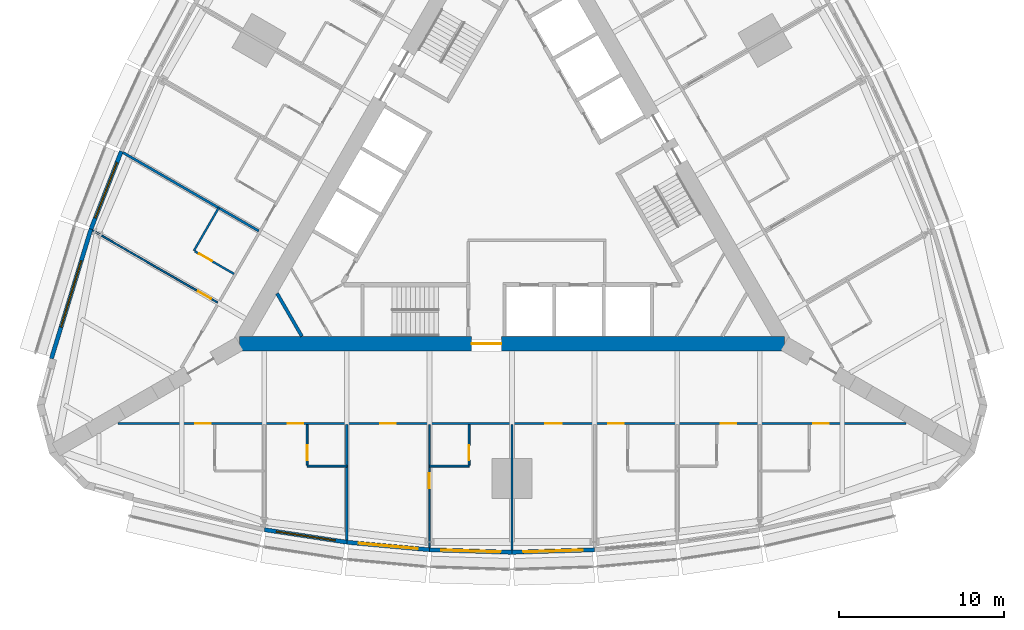
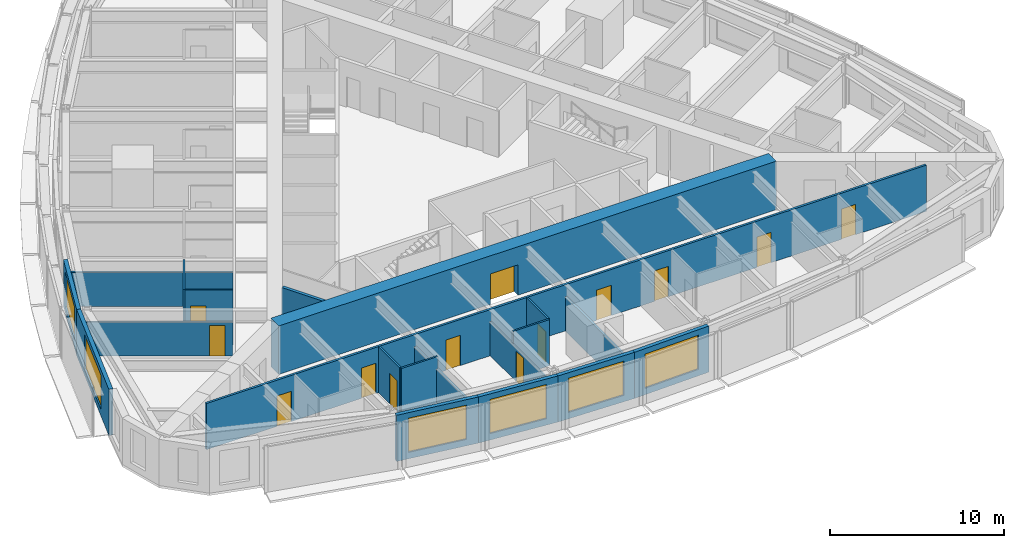
# One storey, part 8 of 14: 20 walls, 13 doors, 6 windows, 19 openings.
"""IFC4 building model written with IfcOpenShell, lengths in metres."""

from ifc_helpers import new_model, si_unit, direction, frame, frame_2d, origin, place, context, subcontext, project, spatial, rectangle, extrude, material, layer, layer_set, type_object, element, fill, save


model = new_model("IFC4")

# Units and contexts
model_context = context("Model", 3, precision=1e-05, world=origin(), true_north=direction((0.0, 1.0)))
body_context = subcontext(model_context, "Body", "Model", "MODEL_VIEW")
ifc_project = project(units=[si_unit("LENGTHUNIT", "METRE"), si_unit("AREAUNIT", "SQUARE_METRE"), si_unit("VOLUMEUNIT", "CUBIC_METRE"), si_unit("PLANEANGLEUNIT", "RADIAN"), si_unit("MASSUNIT", "GRAM", prefix="KILO")], contexts=[model_context])

# Site, building, storey
site_placement = place(None, origin())
site = spatial("IfcSite", under=ifc_project, at=site_placement, CompositionType="ELEMENT")
building_placement = place(site_placement, origin())
building = spatial("IfcBuilding", under=site, at=building_placement, Name="Trikona Tower", CompositionType="ELEMENT")
storey_placement = place(building_placement, frame((0.0, 0.0, 69.300048828125)))
storey = spatial("IfcBuildingStorey", under=building, at=storey_placement, Name="L17", CompositionType="ELEMENT", Elevation=69.300048828125)

# Wall
ifc_material_1 = material(Name="Metal stud and cement board", Category="gypsum")
ifc_layer_1 = layer(ifc_material_1, 0.1201171875)
ifc_layer_set_1 = layer_set([ifc_layer_1], Name="Bathroom wall 120")
wall_type_1 = type_object("IfcWallType", Name="Bathroom wall 120", PredefinedType="PLUMBINGWALL", material=ifc_layer_set_1)
wall_1_placement = place(storey_placement, frame((-12.39990234375, -16.92626953125, 0.0), z_axis=(0.0, 0.0, 1.0), x_axis=(1.0, 0.0, 0.0)))
element("IfcWall", 1, at=wall_1_placement, inside=storey, type_object=wall_type_1, Name="Bathroom wall 1702", PredefinedType="PLUMBINGWALL", context=body_context, shape_type="SweptSolid", body=[
    extrude(rectangle(XDim=2.39990234375, YDim=0.1201171875, at=frame_2d((1.199951171875, 0.0))), origin(), (0.0, 0.0, 1.0), 3.23486328125),
])

# Wall, opening, door
wall_2_placement = place(storey_placement, frame((-12.39990234375, -14.42626953125, 0.0), z_axis=(0.0, 0.0, 1.0), x_axis=(0.0, -1.0, 0.0)))
wall_2 = element("IfcWall", 2, at=wall_2_placement, inside=storey, type_object=wall_type_1, Name="Bathroom wall 1702", PredefinedType="PLUMBINGWALL", context=body_context, shape_type="SweptSolid", body=[
    extrude(rectangle(XDim=2.43994140625, YDim=0.1201171875, at=frame_2d((1.219970703125, 0.0))), origin(), (0.0, 0.0, 1.0), 3.23486328125),
])
opening_1_placement = place(wall_2_placement, frame((1.25, 0.0, 0.0)))
opening_1 = element("IfcOpeningElement", 3, at=opening_1_placement, cuts=wall_2, Name="Opening D2", PredefinedType="OPENING", context=body_context, shape_type="SweptSolid", body=[
    extrude(rectangle(XDim=0.89990234375, YDim=2.1298828125, at=frame_2d((0.449951171875, 1.06494140625))), frame((0.0, 0.070068359375, 0.0), z_axis=(0.0, -1.0, 0.0), x_axis=(1.0, 0.0, 0.0)), (0.0, 0.0, 1.0), 0.14013671875),
])
ifc_material_2 = material(Name="Steel door frame with solid-core timber leaf", Category="steel")
door_type_1 = type_object("IfcDoorType", Name="Bathroom door 900x2130", OperationType="SLIDING_TO_LEFT", PredefinedType="DOOR", material=ifc_material_2)
door_1_placement = place(opening_1_placement, origin())
door_1 = element("IfcDoor", 4, at=door_1_placement, inside=storey, type_object=door_type_1, Name="Bathroom door 1702", OperationType="SLIDING_TO_LEFT", OverallHeight=2.1298828125, OverallWidth=0.89990234375, PredefinedType="DOOR", context=body_context, shape_type="SweptSolid", body=[
    extrude(rectangle(XDim=0.89990234375, YDim=2.1298828125, at=frame_2d((0.449951171875, 1.06494140625))), frame((0.0, 0.02490234375, 0.0), z_axis=(0.0, -1.0, 0.0), x_axis=(1.0, 0.0, 0.0)), (0.0, 0.0, 1.0), 0.050048828125),
])
fill(opening_1, door_1)

# Wall
wall_3_placement = place(storey_placement, frame((-5.0, -16.92626953125, 0.0), z_axis=(0.0, 0.0, 1.0), x_axis=(1.0, 0.0, 0.0)))
element("IfcWall", 5, at=wall_3_placement, inside=storey, type_object=wall_type_1, Name="Bathroom wall 1703.1", PredefinedType="PLUMBINGWALL", context=body_context, shape_type="SweptSolid", body=[
    extrude(rectangle(XDim=2.39990234375, YDim=0.1201171875, at=frame_2d((1.199951171875, 0.0))), origin(), (0.0, 0.0, 1.0), 3.23486328125),
])

# Wall, opening, door
wall_4_placement = place(storey_placement, frame((-2.60009765625, -14.42626953125, 0.0), z_axis=(0.0, 0.0, 1.0), x_axis=(0.0, -1.0, 0.0)))
wall_4 = element("IfcWall", 6, at=wall_4_placement, inside=storey, type_object=wall_type_1, Name="Bathroom wall 1703.1", PredefinedType="PLUMBINGWALL", context=body_context, shape_type="SweptSolid", body=[
    extrude(rectangle(XDim=2.43994140625, YDim=0.1201171875, at=frame_2d((1.219970703125, 0.0))), origin(), (0.0, 0.0, 1.0), 3.23486328125),
])
opening_2_placement = place(wall_4_placement, frame((1.25, 0.0, 0.0)))
opening_2 = element("IfcOpeningElement", 7, at=opening_2_placement, cuts=wall_4, Name="Opening D2", PredefinedType="OPENING", context=body_context, shape_type="SweptSolid", body=[
    extrude(rectangle(XDim=0.89990234375, YDim=2.1298828125, at=frame_2d((0.449951171875, 1.06494140625))), frame((0.0, 0.070068359375, 0.0), z_axis=(0.0, -1.0, 0.0), x_axis=(1.0, 0.0, 0.0)), (0.0, 0.0, 1.0), 0.14013671875),
])
door_2_placement = place(opening_2_placement, origin())
door_2 = element("IfcDoor", 8, at=door_2_placement, inside=storey, type_object=door_type_1, Name="Bathroom door 1703.1", OperationType="SLIDING_TO_LEFT", OverallHeight=2.1298828125, OverallWidth=0.89990234375, PredefinedType="DOOR", context=body_context, shape_type="SweptSolid", body=[
    extrude(rectangle(XDim=0.89990234375, YDim=2.1298828125, at=frame_2d((0.449951171875, 1.06494140625))), frame((0.0, 0.02490234375, 0.0), z_axis=(0.0, -1.0, 0.0), x_axis=(1.0, 0.0, 0.0)), (0.0, 0.0, 1.0), 0.050048828125),
])
fill(opening_2, door_2)

# Wall
wall_5_placement = place(storey_placement, frame((-17.75341796875, -1.297119140625, 0.0), z_axis=(0.0, 0.0, 1.0), x_axis=(-0.499990139034, -0.866031096941, 0.0)))
element("IfcWall", 9, at=wall_5_placement, inside=storey, type_object=wall_type_1, Name="Bathroom wall 1716.1", PredefinedType="PLUMBINGWALL", context=body_context, shape_type="SweptSolid", body=[
    extrude(rectangle(XDim=3.0, YDim=0.1201171875, at=frame_2d((1.5, 0.0))), origin(), (0.0, 0.0, 1.0), 3.23486328125),
])

# Wall, opening, door
wall_6_placement = place(storey_placement, frame((-16.82861328125, -5.295166015625, 0.0), z_axis=(0.0, 0.0, 1.0), x_axis=(-0.866035715982, 0.499982138324, 0.0)))
wall_6 = element("IfcWall", 10, at=wall_6_placement, inside=storey, type_object=wall_type_1, Name="Bathroom wall 1716.1", PredefinedType="PLUMBINGWALL", context=body_context, shape_type="SweptSolid", body=[
    extrude(rectangle(XDim=2.73974609375, YDim=0.1201171875, at=frame_2d((1.369873046875, 0.0))), origin(), (0.0, 0.0, 1.0), 3.23486328125),
])
opening_3_placement = place(wall_6_placement, frame((1.550048828125, 0.0, 0.0)))
opening_3 = element("IfcOpeningElement", 11, at=opening_3_placement, cuts=wall_6, Name="Opening D2", PredefinedType="OPENING", context=body_context, shape_type="SweptSolid", body=[
    extrude(rectangle(XDim=0.89990234375, YDim=2.1298828125, at=frame_2d((0.449951171875, 1.06494140625))), frame((0.0, 0.070068359375, 0.0), z_axis=(0.0, -1.0, 0.0), x_axis=(1.0, 0.0, 0.0)), (0.0, 0.0, 1.0), 0.14013671875),
])
door_3_placement = place(opening_3_placement, origin())
door_3 = element("IfcDoor", 12, at=door_3_placement, inside=storey, type_object=door_type_1, Name="Bathroom door 1716.1", OperationType="SLIDING_TO_LEFT", OverallHeight=2.1298828125, OverallWidth=0.89990234375, PredefinedType="DOOR", context=body_context, shape_type="SweptSolid", body=[
    extrude(rectangle(XDim=0.89990234375, YDim=2.1298828125, at=frame_2d((0.449951171875, 1.06494140625))), frame((0.0, 0.02490234375, 0.0), z_axis=(0.0, -1.0, 0.0), x_axis=(1.0, 0.0, 0.0)), (0.0, 0.0, 1.0), 0.050048828125),
])
fill(opening_3, door_3)

ifc_material_3 = material(Name="Concrete f'c 10000 psi", Category="concrete")
ifc_layer_2 = layer(ifc_material_3, 0.89990234375)
ifc_layer_set_2 = layer_set([ifc_layer_2], Name="Core wall 900")
wall_type_2 = type_object("IfcWallType", Name="Core wall 900", PredefinedType="SHEAR", material=ifc_layer_set_2)
wall_7_placement = place(storey_placement, frame((-16.5, -9.5263671875, 0.0), z_axis=(0.0, 0.0, 1.0), x_axis=(1.0, 0.0, 0.0)))
wall_7 = element("IfcWall", 13, at=wall_7_placement, inside=storey, type_object=wall_type_2, Name="Core wall A", PredefinedType="SHEAR", context=body_context, shape_type="SweptSolid", body=[
    extrude(rectangle(XDim=33.0, YDim=0.89990234375, at=frame_2d((16.5, 0.0))), origin(), (0.0, 0.0, 1.0), 3.39990234375),
])
opening_4_placement = place(wall_7_placement, frame((14.050048828125, 0.0, 0.0)))
opening_4 = element("IfcOpeningElement", 14, at=opening_4_placement, cuts=wall_7, Name="Opening D6", PredefinedType="OPENING", context=body_context, shape_type="SweptSolid", body=[
    extrude(rectangle(XDim=1.800048828125, YDim=2.1298828125, at=frame_2d((0.89990234375, 1.06494140625))), frame((0.0, 0.4599609375, 0.0), z_axis=(0.0, -1.0, 0.0), x_axis=(1.0, 0.0, 0.0)), (0.0, 0.0, 1.0), 0.919921875),
])
ifc_material_4 = material(Name="Hollow metal door and frame", Category="steel")
door_type_2 = type_object("IfcDoorType", Name="Lobby door pair 1800x2130", OperationType="DOUBLE_DOOR_SINGLE_SWING", PredefinedType="DOOR", material=ifc_material_4)
door_4_placement = place(opening_4_placement, origin())
door_4 = element("IfcDoor", 15, at=door_4_placement, inside=storey, type_object=door_type_2, Name="Fire service lift lobby door", OperationType="DOUBLE_DOOR_SINGLE_SWING", OverallHeight=2.1298828125, OverallWidth=1.800048828125, PredefinedType="DOOR", context=body_context, shape_type="SweptSolid", body=[
    extrude(rectangle(XDim=1.800048828125, YDim=2.1298828125, at=frame_2d((0.89990234375, 1.06494140625))), frame((0.0, 0.02490234375, 0.0), z_axis=(0.0, -1.0, 0.0), x_axis=(1.0, 0.0, 0.0)), (0.0, 0.0, 1.0), 0.050048828125),
])
fill(opening_4, door_4)

# Wall, openings, doors
ifc_material_5 = material(Name="Metal stud and gypsum board, 1-hour", Category="gypsum")
ifc_layer_3 = layer(ifc_material_5, 0.14990234375)
ifc_layer_set_3 = layer_set([ifc_layer_3], Name="Corridor wall 150")
wall_type_3 = type_object("IfcWallType", Name="Corridor wall 150", PredefinedType="PARTITIONING", material=ifc_layer_set_3)
wall_8_placement = place(storey_placement, frame((-23.857177734375, -14.351318359375, 0.0), z_axis=(0.0, 0.0, 1.0), x_axis=(1.0, 0.0, 0.0)))
wall_8 = element("IfcWall", 16, at=wall_8_placement, inside=storey, type_object=wall_type_3, Name="Corridor wall L17-1", PredefinedType="PARTITIONING", context=body_context, shape_type="SweptSolid", body=[
    extrude(rectangle(XDim=47.71435546875, YDim=0.14990234375, at=frame_2d((23.857177734375, 0.0))), origin(), (0.0, 0.0, 1.0), 3.23486328125),
])
opening_5_placement = place(wall_8_placement, frame((4.68212890625, 0.0, 0.0)))
opening_5 = element("IfcOpeningElement", 17, at=opening_5_placement, cuts=wall_8, Name="Opening D1", PredefinedType="OPENING", context=body_context, shape_type="SweptSolid", body=[
    extrude(rectangle(XDim=0.949951171875, YDim=2.1298828125, at=frame_2d((0.47509765625, 1.06494140625))), frame((0.0, 0.0849609375, 0.0), z_axis=(0.0, -1.0, 0.0), x_axis=(1.0, 0.0, 0.0)), (0.0, 0.0, 1.0), 0.169921875),
])
opening_6_placement = place(wall_8_placement, frame((10.281982421875, 0.0, 0.0)))
opening_6 = element("IfcOpeningElement", 18, at=opening_6_placement, cuts=wall_8, Name="Opening D1", PredefinedType="OPENING", context=body_context, shape_type="SweptSolid", body=[
    extrude(rectangle(XDim=0.949951171875, YDim=2.1298828125, at=frame_2d((0.47509765625, 1.06494140625))), frame((0.0, 0.0849609375, 0.0), z_axis=(0.0, -1.0, 0.0), x_axis=(1.0, 0.0, 0.0)), (0.0, 0.0, 1.0), 0.169921875),
])
opening_7_placement = place(wall_8_placement, frame((15.882080078125, 0.0, 0.0)))
opening_7 = element("IfcOpeningElement", 19, at=opening_7_placement, cuts=wall_8, Name="Opening D1", PredefinedType="OPENING", context=body_context, shape_type="SweptSolid", body=[
    extrude(rectangle(XDim=0.949951171875, YDim=2.1298828125, at=frame_2d((0.47509765625, 1.06494140625))), frame((0.0, 0.0849609375, 0.0), z_axis=(0.0, -1.0, 0.0), x_axis=(1.0, 0.0, 0.0)), (0.0, 0.0, 1.0), 0.169921875),
])
opening_8_placement = place(wall_8_placement, frame((25.857177734375, 0.0, 0.0)))
opening_8 = element("IfcOpeningElement", 20, at=opening_8_placement, cuts=wall_8, Name="Opening D3", PredefinedType="OPENING", context=body_context, shape_type="SweptSolid", body=[
    extrude(rectangle(XDim=1.0, YDim=2.1298828125, at=frame_2d((0.5, 1.06494140625))), frame((0.0, 0.0849609375, 0.0), z_axis=(0.0, -1.0, 0.0), x_axis=(1.0, 0.0, 0.0)), (0.0, 0.0, 1.0), 0.169921875),
])
opening_9_placement = place(wall_8_placement, frame((29.68212890625, 0.0, 0.0)))
opening_9 = element("IfcOpeningElement", 21, at=opening_9_placement, cuts=wall_8, Name="Opening D1", PredefinedType="OPENING", context=body_context, shape_type="SweptSolid", body=[
    extrude(rectangle(XDim=0.949951171875, YDim=2.1298828125, at=frame_2d((0.47509765625, 1.06494140625))), frame((0.0, 0.0849609375, 0.0), z_axis=(0.0, -1.0, 0.0), x_axis=(1.0, 0.0, 0.0)), (0.0, 0.0, 1.0), 0.169921875),
])
opening_10_placement = place(wall_8_placement, frame((36.482177734375, 0.0, 0.0)))
opening_10 = element("IfcOpeningElement", 22, at=opening_10_placement, cuts=wall_8, Name="Opening D1", PredefinedType="OPENING", context=body_context, shape_type="SweptSolid", body=[
    extrude(rectangle(XDim=0.949951171875, YDim=2.1298828125, at=frame_2d((0.47509765625, 1.06494140625))), frame((0.0, 0.0849609375, 0.0), z_axis=(0.0, -1.0, 0.0), x_axis=(1.0, 0.0, 0.0)), (0.0, 0.0, 1.0), 0.169921875),
])
opening_11_placement = place(wall_8_placement, frame((42.08203125, 0.0, 0.0)))
opening_11 = element("IfcOpeningElement", 23, at=opening_11_placement, cuts=wall_8, Name="Opening D1", PredefinedType="OPENING", context=body_context, shape_type="SweptSolid", body=[
    extrude(rectangle(XDim=0.949951171875, YDim=2.1298828125, at=frame_2d((0.47509765625, 1.06494140625))), frame((0.0, 0.0849609375, 0.0), z_axis=(0.0, -1.0, 0.0), x_axis=(1.0, 0.0, 0.0)), (0.0, 0.0, 1.0), 0.169921875),
])
ifc_material_6 = material(Name="Steel door frame with solid-core timber leaf", Category="steel")
door_type_3 = type_object("IfcDoorType", Name="Guest room door 950x2130", OperationType="SINGLE_SWING_LEFT", PredefinedType="DOOR", material=ifc_material_6)
door_5_placement = place(opening_5_placement, origin())
door_5 = element("IfcDoor", 24, at=door_5_placement, inside=storey, type_object=door_type_3, Name="Room door 1701", OperationType="SINGLE_SWING_LEFT", OverallHeight=2.1298828125, OverallWidth=0.949951171875, PredefinedType="DOOR", context=body_context, shape_type="SweptSolid", body=[
    extrude(rectangle(XDim=0.949951171875, YDim=2.1298828125, at=frame_2d((0.47509765625, 1.06494140625))), frame((0.0, 0.02490234375, 0.0), z_axis=(0.0, -1.0, 0.0), x_axis=(1.0, 0.0, 0.0)), (0.0, 0.0, 1.0), 0.050048828125),
])
fill(opening_5, door_5)
door_6_placement = place(opening_6_placement, origin())
door_6 = element("IfcDoor", 25, at=door_6_placement, inside=storey, type_object=door_type_3, Name="Room door 1702", OperationType="SINGLE_SWING_RIGHT", OverallHeight=2.1298828125, OverallWidth=0.949951171875, PredefinedType="DOOR", context=body_context, shape_type="SweptSolid", body=[
    extrude(rectangle(XDim=0.949951171875, YDim=2.1298828125, at=frame_2d((0.47509765625, 1.06494140625))), frame((0.0, 0.02490234375, 0.0), z_axis=(0.0, -1.0, 0.0), x_axis=(1.0, 0.0, 0.0)), (0.0, 0.0, 1.0), 0.050048828125),
])
fill(opening_6, door_6)
door_7_placement = place(opening_7_placement, origin())
door_7 = element("IfcDoor", 26, at=door_7_placement, inside=storey, type_object=door_type_3, Name="Room door 1703", OperationType="SINGLE_SWING_LEFT", OverallHeight=2.1298828125, OverallWidth=0.949951171875, PredefinedType="DOOR", context=body_context, shape_type="SweptSolid", body=[
    extrude(rectangle(XDim=0.949951171875, YDim=2.1298828125, at=frame_2d((0.47509765625, 1.06494140625))), frame((0.0, 0.02490234375, 0.0), z_axis=(0.0, -1.0, 0.0), x_axis=(1.0, 0.0, 0.0)), (0.0, 0.0, 1.0), 0.050048828125),
])
fill(opening_7, door_7)
door_8_placement = place(opening_9_placement, origin())
door_8 = element("IfcDoor", 27, at=door_8_placement, inside=storey, type_object=door_type_3, Name="Room door 1704", OperationType="SINGLE_SWING_LEFT", OverallHeight=2.1298828125, OverallWidth=0.949951171875, PredefinedType="DOOR", context=body_context, shape_type="SweptSolid", body=[
    extrude(rectangle(XDim=0.949951171875, YDim=2.1298828125, at=frame_2d((0.47509765625, 1.06494140625))), frame((0.0, 0.02490234375, 0.0), z_axis=(0.0, -1.0, 0.0), x_axis=(1.0, 0.0, 0.0)), (0.0, 0.0, 1.0), 0.050048828125),
])
fill(opening_9, door_8)
door_9_placement = place(opening_10_placement, origin())
door_9 = element("IfcDoor", 28, at=door_9_placement, inside=storey, type_object=door_type_3, Name="Room door 1705", OperationType="SINGLE_SWING_RIGHT", OverallHeight=2.1298828125, OverallWidth=0.949951171875, PredefinedType="DOOR", context=body_context, shape_type="SweptSolid", body=[
    extrude(rectangle(XDim=0.949951171875, YDim=2.1298828125, at=frame_2d((0.47509765625, 1.06494140625))), frame((0.0, 0.02490234375, 0.0), z_axis=(0.0, -1.0, 0.0), x_axis=(1.0, 0.0, 0.0)), (0.0, 0.0, 1.0), 0.050048828125),
])
fill(opening_10, door_9)
door_10_placement = place(opening_11_placement, origin())
door_10 = element("IfcDoor", 29, at=door_10_placement, inside=storey, type_object=door_type_3, Name="Room door 1706", OperationType="SINGLE_SWING_LEFT", OverallHeight=2.1298828125, OverallWidth=0.949951171875, PredefinedType="DOOR", context=body_context, shape_type="SweptSolid", body=[
    extrude(rectangle(XDim=0.949951171875, YDim=2.1298828125, at=frame_2d((0.47509765625, 1.06494140625))), frame((0.0, 0.02490234375, 0.0), z_axis=(0.0, -1.0, 0.0), x_axis=(1.0, 0.0, 0.0)), (0.0, 0.0, 1.0), 0.050048828125),
])
fill(opening_11, door_10)
ifc_material_7 = material(Name="Steel door frame with solid-core timber leaf", Category="steel")
door_type_4 = type_object("IfcDoorType", Name="Room door 1000x2130", OperationType="SINGLE_SWING_LEFT", PredefinedType="DOOR", material=ifc_material_7)
door_11_placement = place(opening_8_placement, origin())
door_11 = element("IfcDoor", 30, at=door_11_placement, inside=storey, type_object=door_type_4, Name="Door Housekeeping pantry", OperationType="SINGLE_SWING_RIGHT", OverallHeight=2.1298828125, OverallWidth=1.0, PredefinedType="DOOR", context=body_context, shape_type="SweptSolid", body=[
    extrude(rectangle(XDim=1.0, YDim=2.1298828125, at=frame_2d((0.5, 1.06494140625))), frame((0.0, 0.02490234375, 0.0), z_axis=(0.0, -1.0, 0.0), x_axis=(1.0, 0.0, 0.0)), (0.0, 0.0, 1.0), 0.050048828125),
])
fill(opening_8, door_11)

# Wall, opening, window
ifc_material_8 = material(Name="Insulated precast concrete spandrel panel", Category="concrete")
ifc_layer_4 = layer(ifc_material_8, 0.25)
ifc_layer_set_4 = layer_set([ifc_layer_4], Name="Inner skin wall 250")
wall_type_4 = type_object("IfcWallType", Name="Inner skin wall 250", PredefinedType="STANDARD", material=ifc_layer_set_4)
wall_9_placement = place(storey_placement, frame((-14.981201171875, -20.779296875, 0.0), z_axis=(0.0, 0.0, 1.0), x_axis=(0.988615403399, -0.150464561152, 0.0)))
wall_9 = element("IfcWall", 31, at=wall_9_placement, inside=storey, type_object=wall_type_4, Name="External wall L17-01", PredefinedType="STANDARD", context=body_context, shape_type="SweptSolid", body=[
    extrude(rectangle(XDim=5.0576171875, YDim=0.25, at=frame_2d((2.52880859375, 0.0))), origin(), (0.0, 0.0, 1.0), 3.23486328125),
])
opening_12_placement = place(wall_9_placement, frame((0.728759765625, 0.0, 0.449951171875)))
opening_12 = element("IfcOpeningElement", 32, at=opening_12_placement, cuts=wall_9, Name="Opening W3624", PredefinedType="OPENING", context=body_context, shape_type="SweptSolid", body=[
    extrude(rectangle(XDim=3.60009765625, YDim=2.39990234375, at=frame_2d((1.800048828125, 1.199951171875))), frame((0.0, 0.135009765625, 0.0), z_axis=(0.0, -1.0, 0.0), x_axis=(1.0, 0.0, 0.0)), (0.0, 0.0, 1.0), 0.27001953125),
])
ifc_material_9 = material(Name="Aluminium-framed double glazing", Category="aluminium")
window_type_1 = type_object("IfcWindowType", Name="Window 3600x2400", PartitioningType="SINGLE_PANEL", PredefinedType="WINDOW", material=ifc_material_9)
window_1_placement = place(opening_12_placement, origin())
window_1 = element("IfcWindow", 33, at=window_1_placement, inside=storey, type_object=window_type_1, Name="Window 1702", OverallHeight=2.39990234375, OverallWidth=3.60009765625, PartitioningType="SINGLE_PANEL", PredefinedType="WINDOW", context=body_context, shape_type="SweptSolid", body=[
    extrude(rectangle(XDim=3.60009765625, YDim=2.39990234375, at=frame_2d((1.800048828125, 1.199951171875))), frame((0.0, 0.030029296875, 0.0), z_axis=(0.0, -1.0, 0.0), x_axis=(1.0, 0.0, 0.0)), (0.0, 0.0, 1.0), 0.06005859375),
])
fill(opening_12, window_1)

wall_10_placement = place(storey_placement, frame((-9.988525390625, -21.539306640625, 0.0), z_axis=(0.0, 0.0, 1.0), x_axis=(0.995857256774, -0.090930325692, 0.0)))
wall_10 = element("IfcWall", 34, at=wall_10_placement, inside=storey, type_object=wall_type_4, Name="External wall L17-02", PredefinedType="STANDARD", context=body_context, shape_type="SweptSolid", body=[
    extrude(rectangle(XDim=5.020751953125, YDim=0.25, at=frame_2d((2.51025390625, 0.0))), origin(), (0.0, 0.0, 1.0), 3.23486328125),
])
opening_13_placement = place(wall_10_placement, frame((0.71044921875, 0.0, 0.449951171875)))
opening_13 = element("IfcOpeningElement", 35, at=opening_13_placement, cuts=wall_10, Name="Opening W3624", PredefinedType="OPENING", context=body_context, shape_type="SweptSolid", body=[
    extrude(rectangle(XDim=3.60009765625, YDim=2.39990234375, at=frame_2d((1.800048828125, 1.199951171875))), frame((0.0, 0.135009765625, 0.0), z_axis=(0.0, -1.0, 0.0), x_axis=(1.0, 0.0, 0.0)), (0.0, 0.0, 1.0), 0.27001953125),
])
window_2_placement = place(opening_13_placement, origin())
window_2 = element("IfcWindow", 36, at=window_2_placement, inside=storey, type_object=window_type_1, Name="Window 1703", OverallHeight=2.39990234375, OverallWidth=3.60009765625, PartitioningType="SINGLE_PANEL", PredefinedType="WINDOW", context=body_context, shape_type="SweptSolid", body=[
    extrude(rectangle(XDim=3.60009765625, YDim=2.39990234375, at=frame_2d((1.800048828125, 1.199951171875))), frame((0.0, 0.030029296875, 0.0), z_axis=(0.0, -1.0, 0.0), x_axis=(1.0, 0.0, 0.0)), (0.0, 0.0, 1.0), 0.06005859375),
])
fill(opening_13, window_2)

wall_11_placement = place(storey_placement, frame((-4.99609375, -21.99560546875, 0.0), z_axis=(0.0, 0.0, 1.0), x_axis=(0.999537635046, -0.030405856769, 0.0)))
wall_11 = element("IfcWall", 37, at=wall_11_placement, inside=storey, type_object=wall_type_4, Name="External wall L17-03", PredefinedType="STANDARD", context=body_context, shape_type="SweptSolid", body=[
    extrude(rectangle(XDim=5.002197265625, YDim=0.25, at=frame_2d((2.5009765625, 0.0))), origin(), (0.0, 0.0, 1.0), 3.23486328125),
])
opening_14_placement = place(wall_11_placement, frame((0.701171875, 0.0, 0.449951171875)))
opening_14 = element("IfcOpeningElement", 38, at=opening_14_placement, cuts=wall_11, Name="Opening W3624", PredefinedType="OPENING", context=body_context, shape_type="SweptSolid", body=[
    extrude(rectangle(XDim=3.60009765625, YDim=2.39990234375, at=frame_2d((1.800048828125, 1.199951171875))), frame((0.0, 0.135009765625, 0.0), z_axis=(0.0, -1.0, 0.0), x_axis=(1.0, 0.0, 0.0)), (0.0, 0.0, 1.0), 0.27001953125),
])
window_3_placement = place(opening_14_placement, origin())
window_3 = element("IfcWindow", 39, at=window_3_placement, inside=storey, type_object=window_type_1, Name="Window 1703.1", OverallHeight=2.39990234375, OverallWidth=3.60009765625, PartitioningType="SINGLE_PANEL", PredefinedType="WINDOW", context=body_context, shape_type="SweptSolid", body=[
    extrude(rectangle(XDim=3.60009765625, YDim=2.39990234375, at=frame_2d((1.800048828125, 1.199951171875))), frame((0.0, 0.030029296875, 0.0), z_axis=(0.0, -1.0, 0.0), x_axis=(1.0, 0.0, 0.0)), (0.0, 0.0, 1.0), 0.06005859375),
])
fill(opening_14, window_3)

wall_12_placement = place(storey_placement, frame((-0.00390625, -22.147705078125, 0.0), z_axis=(0.0, 0.0, 1.0), x_axis=(0.999537635046, 0.030405856769, 0.0)))
wall_12 = element("IfcWall", 40, at=wall_12_placement, inside=storey, type_object=wall_type_4, Name="External wall L17-04", PredefinedType="STANDARD", context=body_context, shape_type="SweptSolid", body=[
    extrude(rectangle(XDim=5.002197265625, YDim=0.25, at=frame_2d((2.5009765625, 0.0))), origin(), (0.0, 0.0, 1.0), 3.23486328125),
])
opening_15_placement = place(wall_12_placement, frame((0.701171875, 0.0, 0.449951171875)))
opening_15 = element("IfcOpeningElement", 41, at=opening_15_placement, cuts=wall_12, Name="Opening W3624", PredefinedType="OPENING", context=body_context, shape_type="SweptSolid", body=[
    extrude(rectangle(XDim=3.60009765625, YDim=2.39990234375, at=frame_2d((1.800048828125, 1.199951171875))), frame((0.0, 0.135009765625, 0.0), z_axis=(0.0, -1.0, 0.0), x_axis=(1.0, 0.0, 0.0)), (0.0, 0.0, 1.0), 0.27001953125),
])
window_4_placement = place(opening_15_placement, origin())
window_4 = element("IfcWindow", 42, at=window_4_placement, inside=storey, type_object=window_type_1, Name="Window L17-HKP", OverallHeight=2.39990234375, OverallWidth=3.60009765625, PartitioningType="SINGLE_PANEL", PredefinedType="WINDOW", context=body_context, shape_type="SweptSolid", body=[
    extrude(rectangle(XDim=3.60009765625, YDim=2.39990234375, at=frame_2d((1.800048828125, 1.199951171875))), frame((0.0, 0.030029296875, 0.0), z_axis=(0.0, -1.0, 0.0), x_axis=(1.0, 0.0, 0.0)), (0.0, 0.0, 1.0), 0.06005859375),
])
fill(opening_15, window_4)

wall_13_placement = place(storey_placement, frame((-23.64501953125, 2.126220703125, 0.0), z_axis=(0.0, 0.0, 1.0), x_axis=(-0.364013463868, -0.931393685894, 0.0)))
wall_13 = element("IfcWall", 43, at=wall_13_placement, inside=storey, type_object=wall_type_4, Name="External wall L17-30", PredefinedType="STANDARD", context=body_context, shape_type="SweptSolid", body=[
    extrude(rectangle(XDim=5.0576171875, YDim=0.25, at=frame_2d((2.52880859375, 0.0))), origin(), (0.0, 0.0, 1.0), 3.23486328125),
])
opening_16_placement = place(wall_13_placement, frame((0.728759765625, 0.0, 0.449951171875)))
opening_16 = element("IfcOpeningElement", 44, at=opening_16_placement, cuts=wall_13, Name="Opening W3624", PredefinedType="OPENING", context=body_context, shape_type="SweptSolid", body=[
    extrude(rectangle(XDim=3.60009765625, YDim=2.39990234375, at=frame_2d((1.800048828125, 1.199951171875))), frame((0.0, 0.135009765625, 0.0), z_axis=(0.0, -1.0, 0.0), x_axis=(1.0, 0.0, 0.0)), (0.0, 0.0, 1.0), 0.27001953125),
])
window_5_placement = place(opening_16_placement, origin())
window_5 = element("IfcWindow", 45, at=window_5_placement, inside=storey, type_object=window_type_1, Name="Window 1716.1", OverallHeight=2.39990234375, OverallWidth=3.60009765625, PartitioningType="SINGLE_PANEL", PredefinedType="WINDOW", context=body_context, shape_type="SweptSolid", body=[
    extrude(rectangle(XDim=3.60009765625, YDim=2.39990234375, at=frame_2d((1.800048828125, 1.199951171875))), frame((0.0, 0.030029296875, 0.0), z_axis=(0.0, -1.0, 0.0), x_axis=(1.0, 0.0, 0.0)), (0.0, 0.0, 1.0), 0.06005859375),
])
fill(opening_16, window_5)

wall_14_placement = place(storey_placement, frame((-25.48291015625, -2.575439453125, 0.0), z_axis=(0.0, 0.0, 1.0), x_axis=(-0.2919790669, -0.956424709265, 0.0)))
wall_14 = element("IfcWall", 46, at=wall_14_placement, inside=storey, type_object=wall_type_4, Name="External wall L17-31", PredefinedType="STANDARD", context=body_context, shape_type="SweptSolid", body=[
    extrude(rectangle(XDim=8.211181640625, YDim=0.25, at=frame_2d((4.10546875, 0.0))), origin(), (0.0, 0.0, 1.0), 3.23486328125),
])
opening_17_placement = place(wall_14_placement, frame((2.005615234375, 0.0, 0.449951171875)))
opening_17 = element("IfcOpeningElement", 47, at=opening_17_placement, cuts=wall_14, Name="Opening W4224", PredefinedType="OPENING", context=body_context, shape_type="SweptSolid", body=[
    extrude(rectangle(XDim=4.199951171875, YDim=2.39990234375, at=frame_2d((2.10009765625, 1.199951171875))), frame((0.0, 0.135009765625, 0.0), z_axis=(0.0, -1.0, 0.0), x_axis=(1.0, 0.0, 0.0)), (0.0, 0.0, 1.0), 0.27001953125),
])
ifc_material_10 = material(Name="Aluminium-framed double glazing", Category="aluminium")
window_type_2 = type_object("IfcWindowType", Name="Window 4200x2400", PartitioningType="SINGLE_PANEL", PredefinedType="WINDOW", material=ifc_material_10)
window_6_placement = place(opening_17_placement, origin())
window_6 = element("IfcWindow", 48, at=window_6_placement, inside=storey, type_object=window_type_2, Name="Window 1716", OverallHeight=2.39990234375, OverallWidth=4.199951171875, PartitioningType="SINGLE_PANEL", PredefinedType="WINDOW", context=body_context, shape_type="SweptSolid", body=[
    extrude(rectangle(XDim=4.199951171875, YDim=2.39990234375, at=frame_2d((2.10009765625, 1.199951171875))), frame((0.0, 0.030029296875, 0.0), z_axis=(0.0, -1.0, 0.0), x_axis=(1.0, 0.0, 0.0)), (0.0, 0.0, 1.0), 0.06005859375),
])
fill(opening_17, window_6)

# Walls
ifc_material_11 = material(Name="Metal stud and gypsum board, 1-hour acoustic", Category="gypsum")
ifc_layer_5 = layer(ifc_material_11, 0.14990234375)
ifc_layer_set_5 = layer_set([ifc_layer_5], Name="Party wall 150")
wall_type_5 = type_object("IfcWallType", Name="Party wall 150", PredefinedType="PARTITIONING", material=ifc_layer_set_5)
wall_15_placement = place(storey_placement, frame((-10.0, -14.42626953125, 0.0), z_axis=(0.0, 0.0, 1.0), x_axis=(0.0, -1.0, 0.0)))
element("IfcWall", 49, at=wall_15_placement, inside=storey, type_object=wall_type_5, Name="Partition L17 F1 u-10", PredefinedType="PARTITIONING", context=body_context, shape_type="SweptSolid", body=[
    extrude(rectangle(XDim=6.984619140625, YDim=0.14990234375, at=frame_2d((3.4921875, 0.0))), origin(), (0.0, 0.0, 1.0), 2.38916015625),
])
wall_16_placement = place(storey_placement, frame((0.0, -14.42626953125, 0.0), z_axis=(0.0, 0.0, 1.0), x_axis=(0.0, -1.0, 0.0)))
element("IfcWall", 50, at=wall_16_placement, inside=storey, type_object=wall_type_5, Name="Partition L17 F1 u-1.03538e-30", PredefinedType="PARTITIONING", context=body_context, shape_type="SweptSolid", body=[
    extrude(rectangle(XDim=7.59619140625, YDim=0.14990234375, at=frame_2d((3.798095703125, 0.0))), origin(), (0.0, 0.0, 1.0), 2.38916015625),
])
wall_17_placement = place(storey_placement, frame((-15.32861328125, -2.697021484375, 0.0), z_axis=(0.0, 0.0, 1.0), x_axis=(-0.866018409083, 0.500012114982, 0.0)))
element("IfcWall", 51, at=wall_17_placement, inside=storey, type_object=wall_type_5, Name="Partition L17 F3 u10", PredefinedType="PARTITIONING", context=body_context, shape_type="SweptSolid", body=[
    extrude(rectangle(XDim=9.484619140625, YDim=0.14990234375, at=frame_2d((4.7421875, 0.0))), origin(), (0.0, 0.0, 1.0), 2.38916015625),
])
ifc_material_12 = material(Name="Concrete f'c 8000 psi", Category="concrete")
ifc_layer_6 = layer(ifc_material_12, 0.199951171875)
ifc_layer_set_6 = layer_set([ifc_layer_6], Name="Shaft wall 200")
wall_type_6 = type_object("IfcWallType", Name="Shaft wall 200", PredefinedType="SOLIDWALL", material=ifc_layer_set_6)
wall_18_placement = place(storey_placement, frame((-12.718505859375, -9.076416015625, 0.0), z_axis=(0.0, 0.0, 1.0), x_axis=(-0.499952404951, 0.866052881055, 0.0)))
element("IfcWall", 52, at=wall_18_placement, inside=storey, type_object=wall_type_6, Name="Riser wall L17-RS3", PredefinedType="SOLIDWALL", context=body_context, shape_type="SweptSolid", body=[
    extrude(rectangle(XDim=3.002197265625, YDim=0.199951171875, at=frame_2d((1.5009765625, 0.0))), origin(), (0.0, 0.0, 1.0), 3.23486328125),
])

# Wall, opening, door
ifc_material_13 = material(Name="Metal stud and gypsum board, acoustic", Category="gypsum")
ifc_layer_7 = layer(ifc_material_13, 0.10009765625)
ifc_layer_set_7 = layer_set([ifc_layer_7], Name="Suite partition 100")
wall_type_7 = type_object("IfcWallType", Name="Suite partition 100", PredefinedType="PARTITIONING", material=ifc_layer_set_7)
wall_19_placement = place(storey_placement, frame((-5.0, -14.42626953125, 0.0), z_axis=(0.0, 0.0, 1.0), x_axis=(0.0, -1.0, 0.0)))
wall_19 = element("IfcWall", 53, at=wall_19_placement, inside=storey, type_object=wall_type_7, Name="Suite partition L17 F1 u-5", PredefinedType="PARTITIONING", context=body_context, shape_type="SweptSolid", body=[
    extrude(rectangle(XDim=7.443115234375, YDim=0.10009765625, at=frame_2d((3.7216796875, 0.0))), origin(), (0.0, 0.0, 1.0), 2.38916015625),
])
opening_18_placement = place(wall_19_placement, frame((2.949951171875, 0.0, 0.0)))
opening_18 = element("IfcOpeningElement", 54, at=opening_18_placement, cuts=wall_19, Name="Opening D13", PredefinedType="OPENING", context=body_context, shape_type="SweptSolid", body=[
    extrude(rectangle(XDim=0.89990234375, YDim=2.1298828125, at=frame_2d((0.449951171875, 1.06494140625))), frame((0.0, 0.06005859375, 0.0), z_axis=(0.0, -1.0, 0.0), x_axis=(1.0, 0.0, 0.0)), (0.0, 0.0, 1.0), 0.1201171875),
])
ifc_material_14 = material(Name="Steel door frame with solid-core timber leaf", Category="steel")
door_type_5 = type_object("IfcDoorType", Name="Suite door 900x2130", OperationType="SINGLE_SWING_LEFT", PredefinedType="DOOR", material=ifc_material_14)
door_12_placement = place(opening_18_placement, origin())
door_12 = element("IfcDoor", 55, at=door_12_placement, inside=storey, type_object=door_type_5, Name="Suite door 1703", OperationType="SINGLE_SWING_LEFT", OverallHeight=2.1298828125, OverallWidth=0.89990234375, PredefinedType="DOOR", context=body_context, shape_type="SweptSolid", body=[
    extrude(rectangle(XDim=0.89990234375, YDim=2.1298828125, at=frame_2d((0.449951171875, 1.06494140625))), frame((0.0, 0.02490234375, 0.0), z_axis=(0.0, -1.0, 0.0), x_axis=(1.0, 0.0, 0.0)), (0.0, 0.0, 1.0), 0.050048828125),
])
fill(opening_18, door_12)

wall_20_placement = place(storey_placement, frame((-17.82861328125, -7.027099609375, 0.0), z_axis=(0.0, 0.0, 1.0), x_axis=(-0.866032659912, 0.499987431809, 0.0)))
wall_20 = element("IfcWall", 56, at=wall_20_placement, inside=storey, type_object=wall_type_7, Name="Suite partition L17 F3 u15", PredefinedType="PARTITIONING", context=body_context, shape_type="SweptSolid", body=[
    extrude(rectangle(XDim=8.719970703125, YDim=0.10009765625, at=frame_2d((4.35986328125, 0.0))), origin(), (0.0, 0.0, 1.0), 2.38916015625),
])
opening_19_placement = place(wall_20_placement, frame((0.449951171875, 0.0, 0.0)))
opening_19 = element("IfcOpeningElement", 57, at=opening_19_placement, cuts=wall_20, Name="Opening D13", PredefinedType="OPENING", context=body_context, shape_type="SweptSolid", body=[
    extrude(rectangle(XDim=0.89990234375, YDim=2.1298828125, at=frame_2d((0.449951171875, 1.06494140625))), frame((0.0, 0.06005859375, 0.0), z_axis=(0.0, -1.0, 0.0), x_axis=(1.0, 0.0, 0.0)), (0.0, 0.0, 1.0), 0.1201171875),
])
door_13_placement = place(opening_19_placement, origin())
door_13 = element("IfcDoor", 58, at=door_13_placement, inside=storey, type_object=door_type_5, Name="Suite door 1716", OperationType="SINGLE_SWING_LEFT", OverallHeight=2.1298828125, OverallWidth=0.89990234375, PredefinedType="DOOR", context=body_context, shape_type="SweptSolid", body=[
    extrude(rectangle(XDim=0.89990234375, YDim=2.1298828125, at=frame_2d((0.449951171875, 1.06494140625))), frame((0.0, 0.02490234375, 0.0), z_axis=(0.0, -1.0, 0.0), x_axis=(1.0, 0.0, 0.0)), (0.0, 0.0, 1.0), 0.050048828125),
])
fill(opening_19, door_13)

save(model, "model.ifc")
